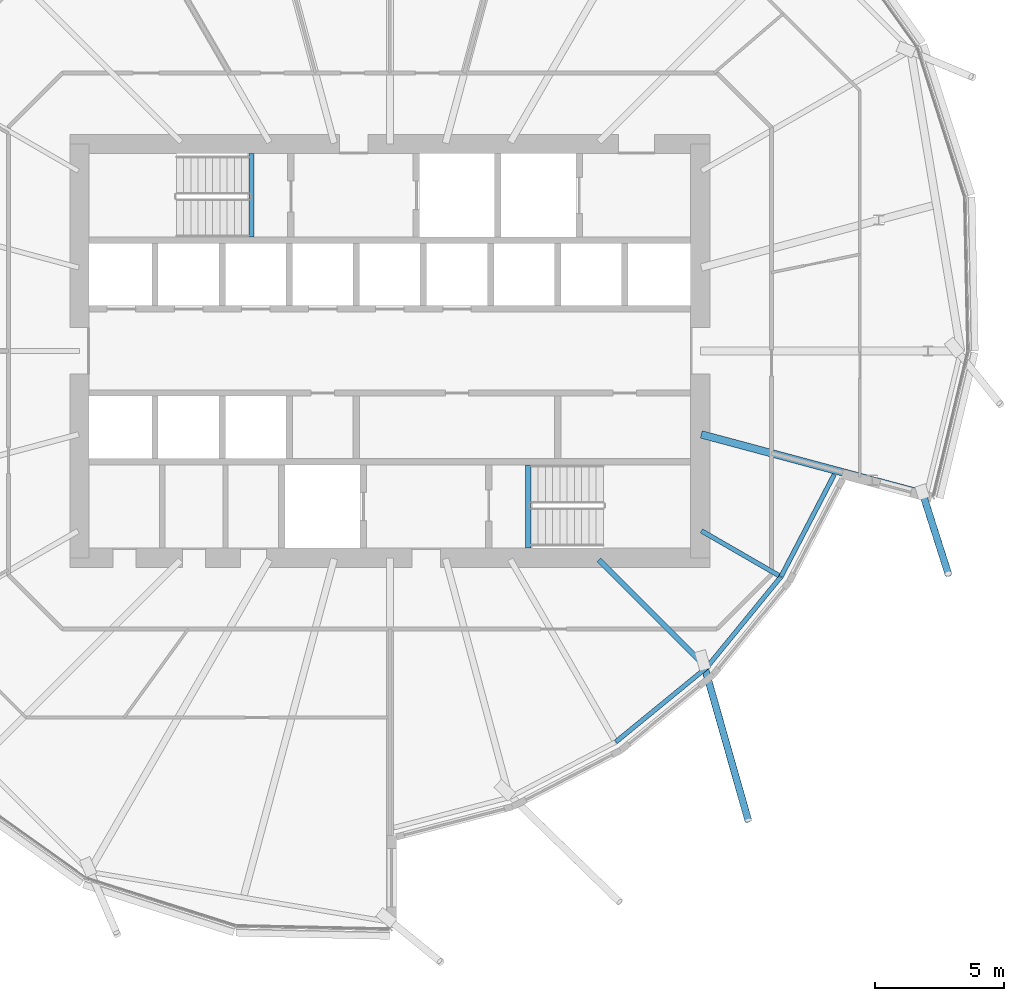
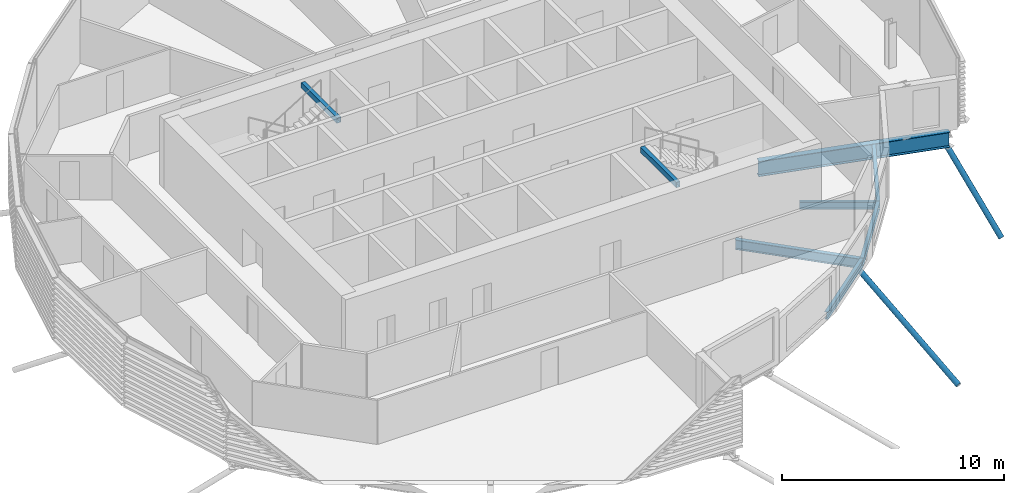
# One storey, part 15 of 40: 8 beams, 2 members.
"""IFC4 building model written with IfcOpenShell, lengths in metres."""

from ifc_helpers import new_model, si_unit, direction, frame, origin, origin_2d, place, context, subcontext, project, spatial, hollow_rectangle, hollow_circle, i_section, extrude, clip, halfspace, material, material_profile, profile_set, type_object, element, save


model = new_model("IFC4")

# Units and contexts
model_context = context("Model", 3, precision=1e-05, world=origin(), true_north=direction((0.0, 1.0)))
body_context = subcontext(model_context, "Body", "Model", "MODEL_VIEW")
ifc_project = project(units=[si_unit("LENGTHUNIT", "METRE"), si_unit("AREAUNIT", "SQUARE_METRE"), si_unit("VOLUMEUNIT", "CUBIC_METRE"), si_unit("PLANEANGLEUNIT", "RADIAN"), si_unit("MASSUNIT", "GRAM", prefix="KILO")], contexts=[model_context])

# Site, building, storey
site_placement = place(None, origin())
site = spatial("IfcSite", under=ifc_project, at=site_placement, CompositionType="ELEMENT")
building_placement = place(site_placement, origin())
building = spatial("IfcBuilding", under=site, at=building_placement, Name="Rimbun Link Towers", CompositionType="ELEMENT")
storey_placement = place(building_placement, frame((0.0, 0.0, 89.199951171875)))
storey = spatial("IfcBuildingStorey", under=building, at=storey_placement, Name="L21", CompositionType="ELEMENT", Elevation=89.199951171875)

# Members
ifc_material_1 = material(Name="Steel S355J2H", Category="steel")
ifc_material_profile_1 = material_profile(ifc_material_1, hollow_circle(Radius=0.136474609375, WallThickness=0.012451171875, at=origin_2d()), Name="CHS 273x12.5")
ifc_profile_set_1 = profile_set([ifc_material_profile_1], Name="Steel S355J2H")
member_type = type_object("IfcMemberType", Name="Floor edge link CHS 273x12.5", PredefinedType="BRACE", material=ifc_profile_set_1)
member_1_placement = place(storey_placement, frame((43.894287109375, -12.144287109375, -0.814697265625), z_axis=(0.24215886662, -0.849851623282, -0.468093261778), x_axis=(0.961719760481, 0.274034855996, 0.0)))
element("IfcMember", 1, at=member_1_placement, inside=storey, type_object=member_type, Name="Floor edge link T2 L21 18", PredefinedType="BRACE", context=body_context, shape_type="Clipping", body=[
    clip(extrude(hollow_circle(Radius=0.136474609375, WallThickness=0.012451171875, at=origin_2d()), frame((0.0, 0.0, -0.53662109375)), (0.0, 0.0, 1.0), 7.609130859375), halfspace(frame((0.0, 0.0, -0.255615234375), z_axis=(0.0, 0.88367906973, -0.468093261778)), False)),
])
member_2_placement = place(storey_placement, frame((52.351806640625, -5.520263671875, -1.095458984375), z_axis=(0.209312998728, -0.656754453496, -0.724473364849), x_axis=(0.952780777858, 0.30365900175, 0.0)))
element("IfcMember", 2, at=member_2_placement, inside=storey, type_object=member_type, Name="Floor edge link T2 L21 20", PredefinedType="BRACE", context=body_context, shape_type="Clipping", body=[
    clip(extrude(hollow_circle(Radius=0.136474609375, WallThickness=0.012451171875, at=origin_2d()), frame((0.0, 0.0, -0.273681640625)), (0.0, 0.0, 1.0), 4.992919921875), halfspace(frame((0.0, 0.0, -0.128173828125), z_axis=(0.0, 0.689302795311, -0.724473364849)), False)),
])

# Beams
ifc_material_2 = material(Name="Steel S355J2", Category="steel")
ifc_material_profile_2 = material_profile(ifc_material_2, hollow_rectangle(XDim=0.199951171875, YDim=0.300048828125, WallThickness=0.011962890625, at=origin_2d()), Name="BOX 300x200x12")
ifc_profile_set_2 = profile_set([ifc_material_profile_2], Name="Steel S355J2")
beam_type_1 = type_object("IfcBeamType", Name="Stair trimmer beam BOX 300x200x12", PredefinedType="BEAM", material=ifc_profile_set_2)
for number, where, z_axis, x_axis, name in (
    (3, (26.39990234375, 7.625, 3.489990234375), (0.0, -1.0, 0.0), (1.0, 0.0, 0.0), "L21 ST3 stair beam 1"),
    (4, (37.10009765625, -7.625, 3.489990234375), (0.0, 1.0, 0.0), (-1.0, 0.0, 0.0), "L21 ST4 stair beam 1"),
):
    element("IfcBeam", number, at=place(storey_placement, frame(where, z_axis=z_axis, x_axis=x_axis)), inside=storey, type_object=beam_type_1, Name=name, PredefinedType="BEAM", context=body_context, shape_type="SweptSolid", body=[
        extrude(hollow_rectangle(XDim=0.199951171875, YDim=0.300048828125, WallThickness=0.011962890625, at=origin_2d()), origin(), (0.0, 0.0, 1.0), 3.22509765625),
    ])
ifc_material_3 = material(Name="Steel S355J2", Category="steel")
ifc_material_profile_3 = material_profile(ifc_material_3, i_section(OverallWidth=0.177978515625, OverallDepth=0.406494140625, WebThickness=0.0078125, FlangeThickness=0.0126953125, at=origin_2d()), Name="UB 406x178x60")
ifc_profile_set_3 = profile_set([ifc_material_profile_3], Name="Steel S355J2")
beam_type_2 = type_object("IfcBeamType", Name="UB 406x178x60", PredefinedType="BEAM", material=ifc_profile_set_3)
beam_1_placement = place(storey_placement, frame((43.79541015625, -6.954345703125, -0.363037109375), z_axis=(0.866028087245, -0.499995352082, 0.0), x_axis=(0.499995352082, 0.866028087245, 0.0)))
element("IfcBeam", 5, at=beam_1_placement, inside=storey, type_object=beam_type_2, Name="Radial beam T2 L21 19", PredefinedType="BEAM", context=body_context, shape_type="SweptSolid", body=[
    extrude(i_section(OverallWidth=0.177978515625, OverallDepth=0.406494140625, WebThickness=0.0078125, FlangeThickness=0.0126953125, at=origin_2d()), origin(), (0.0, 0.0, 1.0), 3.458984375),
])
for number, where, z_axis, x_axis, name in (
    (6, (40.48681640625, -15.112548828125, -0.363037109375), (0.773913988225, 0.633290722204, 0.0), (-0.633290722204, 0.773913988225, 0.0), "Edge beam T2 L21 17 recess"),
    (7, (43.99951171875, -12.235595703125, -0.363037109375), (0.633290722204, 0.773913988225, 0.0), (-0.773913988225, 0.633290722204, 0.0), "Edge beam T2 L21 18 recess"),
):
    element("IfcBeam", number, at=place(storey_placement, frame(where, z_axis=z_axis, x_axis=x_axis)), inside=storey, type_object=beam_type_2, Name=name, PredefinedType="BEAM", context=body_context, shape_type="SweptSolid", body=[
        extrude(i_section(OverallWidth=0.177978515625, OverallDepth=0.406494140625, WebThickness=0.0078125, FlangeThickness=0.0126953125, at=origin_2d()), origin(), (0.0, 0.0, 1.0), 4.52099609375),
    ])
beam_2_placement = place(storey_placement, frame((46.873779296875, -8.719970703125, -0.363037109375), z_axis=(0.462320257791, 0.886713019661, 0.0), x_axis=(-0.886713019661, 0.462320257791, 0.0)))
element("IfcBeam", 8, at=beam_2_placement, inside=storey, type_object=beam_type_2, Name="Edge beam T2 L21 19 recess", PredefinedType="BEAM", context=body_context, shape_type="SweptSolid", body=[
    extrude(i_section(OverallWidth=0.177978515625, OverallDepth=0.406494140625, WebThickness=0.0078125, FlangeThickness=0.0126953125, at=origin_2d()), origin(), (0.0, 0.0, 1.0), 4.447998046875),
])
ifc_material_4 = material(Name="Steel S355J2", Category="steel")
ifc_material_profile_4 = material_profile(ifc_material_4, i_section(OverallWidth=0.209228515625, OverallDepth=0.533203125, WebThickness=0.010009765625, FlangeThickness=0.015625, at=origin_2d()), Name="UB 533x210x92")
ifc_profile_set_4 = profile_set([ifc_material_profile_4], Name="Steel S355J2")
beam_type_3 = type_object("IfcBeamType", Name="UB 533x210x92", PredefinedType="BEAM", material=ifc_profile_set_4)
beam_3_placement = place(storey_placement, frame((39.82470703125, -8.07470703125, -0.426513671875), z_axis=(0.707106781187, -0.707106781187, 0.0), x_axis=(0.707106781187, 0.707106781187, 0.0)))
element("IfcBeam", 9, at=beam_3_placement, inside=storey, type_object=beam_type_3, Name="Radial beam T2 L21 18", PredefinedType="BEAM", context=body_context, shape_type="SweptSolid", body=[
    extrude(i_section(OverallWidth=0.209228515625, OverallDepth=0.533203125, WebThickness=0.010009765625, FlangeThickness=0.015625, at=origin_2d()), origin(), (0.0, 0.0, 1.0), 5.805419921875),
])
ifc_material_5 = material(Name="Steel S355J2", Category="steel")
ifc_material_profile_5 = material_profile(ifc_material_5, i_section(OverallWidth=0.29248046875, OverallDepth=0.8408203125, WebThickness=0.0126953125, FlangeThickness=0.021728515625, at=origin_2d()), Name="UB 838x292x194")
ifc_profile_set_5 = profile_set([ifc_material_profile_5], Name="Steel S355J2")
beam_type_4 = type_object("IfcBeamType", Name="UB 838x292x194", PredefinedType="BEAM", material=ifc_profile_set_5)
beam_4_placement = place(storey_placement, frame((43.788818359375, -3.225830078125, -0.580322265625), z_axis=(0.965926537719, -0.258816389997, 0.0), x_axis=(0.258816389997, 0.965926537719, 0.0)))
element("IfcBeam", 10, at=beam_4_placement, inside=storey, type_object=beam_type_4, Name="Radial beam T2 L21 20", PredefinedType="BEAM", context=body_context, shape_type="SweptSolid", body=[
    extrude(i_section(OverallWidth=0.29248046875, OverallDepth=0.8408203125, WebThickness=0.0126953125, FlangeThickness=0.021728515625, at=origin_2d()), origin(), (0.0, 0.0, 1.0), 8.9150390625),
])

save(model, "model.ifc")
